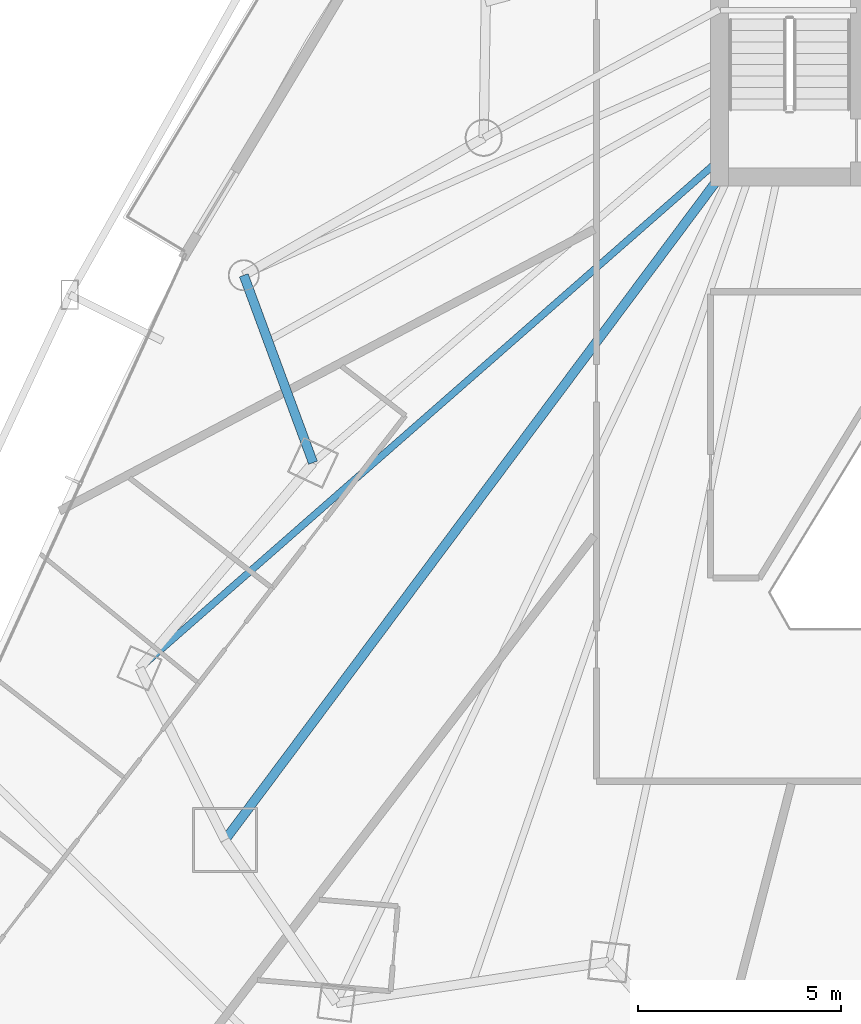
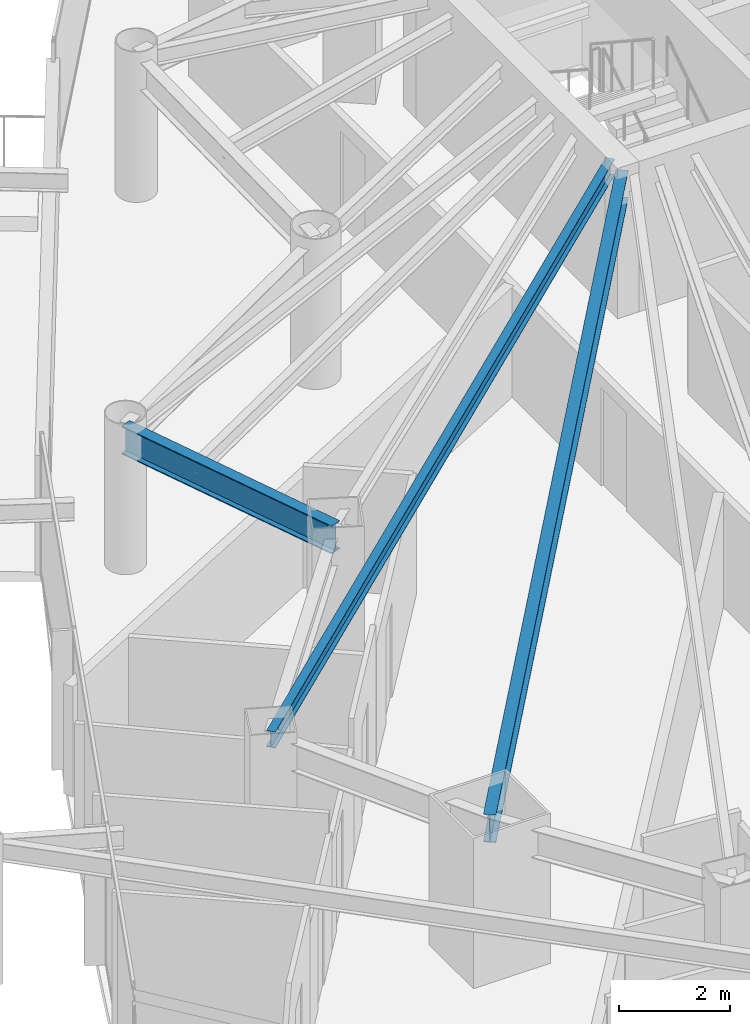
# One storey, part 9 of 34: 3 beams.
"""IFC4 building model written with IfcOpenShell, lengths in metres."""

from ifc_helpers import new_model, si_unit, direction, frame, origin, origin_2d, place, context, subcontext, project, spatial, i_section, extrude, material, material_profile, profile_set, type_object, element, save


model = new_model("IFC4")

# Units and contexts
model_context = context("Model", 3, precision=1e-05, world=origin(), true_north=direction((0.0, 1.0)))
body_context = subcontext(model_context, "Body", "Model", "MODEL_VIEW")
ifc_project = project(units=[si_unit("LENGTHUNIT", "METRE"), si_unit("AREAUNIT", "SQUARE_METRE"), si_unit("VOLUMEUNIT", "CUBIC_METRE"), si_unit("PLANEANGLEUNIT", "RADIAN"), si_unit("MASSUNIT", "GRAM", prefix="KILO")], contexts=[model_context])

# Site, building, storey
site_placement = place(None, origin())
site = spatial("IfcSite", under=ifc_project, at=site_placement, CompositionType="ELEMENT")
building_placement = place(site_placement, origin())
building = spatial("IfcBuilding", under=site, at=building_placement, Name="Orvanel Arch Residences", CompositionType="ELEMENT")
storey_placement = place(building_placement, frame((0.0, 0.0, 77.449951171875)))
storey = spatial("IfcBuildingStorey", under=building, at=storey_placement, Name="L21", CompositionType="ELEMENT", Elevation=77.449951171875)

# Beams
ifc_material = material(Name="Structural steel AS/NZS 3679.1 Grade 300 (300 MPa)", Category="steel")
ifc_material_profile_1 = material_profile(ifc_material, i_section(OverallWidth=0.22900390625, OverallDepth=0.612060546875, WebThickness=0.011962890625, FlangeThickness=0.01953125, at=origin_2d()), Name="610UB125")
ifc_profile_set_1 = profile_set([ifc_material_profile_1], Name="Structural steel AS/NZS 3679.1 Grade 300 (300 MPa)")
beam_type_1 = type_object("IfcBeamType", Name="BG-610UB", PredefinedType="BEAM", material=ifc_profile_set_1)
beam_1_placement = place(storey_placement, frame((26.375, 26.675048828125, 2.754150390625), z_axis=(-0.597893733742, -0.801575375839, 0.0), x_axis=(0.801575375839, -0.597893733742, 0.0)))
element("IfcBeam", 1, at=beam_1_placement, inside=storey, type_object=beam_type_1, Name="L21 South-West Radial Girder", PredefinedType="BEAM", context=body_context, shape_type="SweptSolid", body=[
    extrude(i_section(OverallWidth=0.22900390625, OverallDepth=0.612060546875, WebThickness=0.011962890625, FlangeThickness=0.01953125, at=origin_2d()), origin(), (0.0, 0.0, 1.0), 20.36474609375),
])
ifc_material_profile_2 = material_profile(ifc_material, i_section(OverallWidth=0.1708984375, OverallDepth=0.35595703125, WebThickness=0.00732421875, FlangeThickness=0.011474609375, at=origin_2d()), Name="360UB50.7")
ifc_profile_set_2 = profile_set([ifc_material_profile_2], Name="Structural steel AS/NZS 3679.1 Grade 300 (300 MPa)")
beam_type_2 = type_object("IfcBeamType", Name="BJ-360UB", PredefinedType="JOIST", material=ifc_profile_set_2)
beam_2_placement = place(storey_placement, frame((26.375, 27.10009765625, 2.882080078125), z_axis=(-0.751924114057, -0.659249669472, 0.0), x_axis=(0.659249669472, -0.751924114057, 0.0)))
element("IfcBeam", 2, at=beam_2_placement, inside=storey, type_object=beam_type_2, Name="L21 MW Wing Floor Joist", PredefinedType="JOIST", context=body_context, shape_type="SweptSolid", body=[
    extrude(i_section(OverallWidth=0.1708984375, OverallDepth=0.35595703125, WebThickness=0.00732421875, FlangeThickness=0.011474609375, at=origin_2d()), origin(), (0.0, 0.0, 1.0), 18.9912109375),
])
ifc_material_profile_3 = material_profile(ifc_material, i_section(OverallWidth=0.22900390625, OverallDepth=0.612060546875, WebThickness=0.011962890625, FlangeThickness=0.01953125, at=origin_2d()), Name="610UB125")
ifc_profile_set_3 = profile_set([ifc_material_profile_3], Name="Structural steel AS/NZS 3679.1 Grade 300 (300 MPa)")
beam_type_3 = type_object("IfcBeamType", Name="SP-610UB", PredefinedType="SPANDREL", material=ifc_profile_set_3)
beam_3_placement = place(storey_placement, frame((14.662109375, 24.256103515625, 2.754150390625), z_axis=(0.346588434017, -0.938017301229, 0.0), x_axis=(0.938017301229, 0.346588434017, 0.0)))
element("IfcBeam", 3, at=beam_3_placement, inside=storey, type_object=beam_type_3, Name="L21 Perimeter Spandrel Beam 22", PredefinedType="SPANDREL", context=body_context, shape_type="SweptSolid", body=[
    extrude(i_section(OverallWidth=0.22900390625, OverallDepth=0.612060546875, WebThickness=0.011962890625, FlangeThickness=0.01953125, at=origin_2d()), origin(), (0.0, 0.0, 1.0), 4.9189453125),
])

save(model, "model.ifc")
